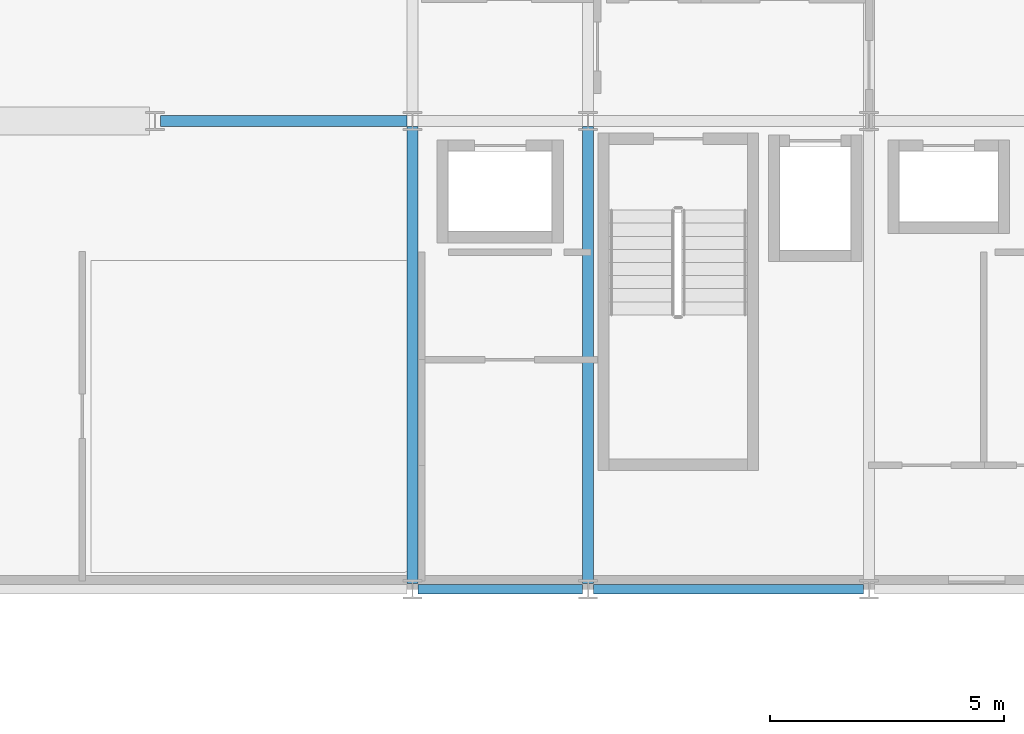
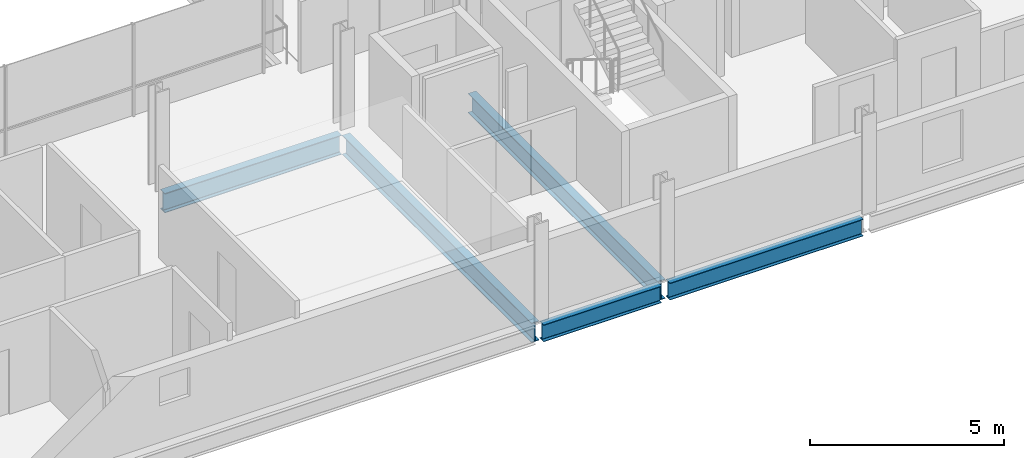
# One storey, part 14 of 41: 5 beams.
"""IFC4 building model written with IfcOpenShell, lengths in metres."""

from ifc_helpers import new_model, si_unit, direction, frame, origin, origin_2d, place, context, subcontext, project, spatial, i_section, extrude, material, material_profile, profile_set, type_object, element, save


model = new_model("IFC4")

# Units and contexts
model_context = context("Model", 3, precision=1e-05, world=origin(), true_north=direction((0.0, 1.0)))
body_context = subcontext(model_context, "Body", "Model", "MODEL_VIEW")
ifc_project = project(units=[si_unit("LENGTHUNIT", "METRE"), si_unit("AREAUNIT", "SQUARE_METRE"), si_unit("VOLUMEUNIT", "CUBIC_METRE"), si_unit("PLANEANGLEUNIT", "RADIAN"), si_unit("MASSUNIT", "GRAM", prefix="KILO")], contexts=[model_context])

# Site, building, storey
site_placement = place(None, origin())
site = spatial("IfcSite", under=ifc_project, at=site_placement, CompositionType="ELEMENT")
building_placement = place(site_placement, origin())
building = spatial("IfcBuilding", under=site, at=building_placement, Name="Brevholm Reach", CompositionType="ELEMENT")
storey_placement = place(building_placement, frame((0.0, 0.0, 169.699951171875)))
storey = spatial("IfcBuildingStorey", under=building, at=storey_placement, Name="L51", CompositionType="ELEMENT", Elevation=169.699951171875)

# Beams
ifc_material_1 = material(Name="Structural Steel S355J2", Category="steel")
ifc_material_profile_1 = material_profile(ifc_material_1, i_section(OverallWidth=0.209228515625, OverallDepth=0.533203125, WebThickness=0.010009765625, FlangeThickness=0.015625, FilletRadius=0.0126953125, at=origin_2d()), Name="UKB 533x210x92")
ifc_profile_set_1 = profile_set([ifc_material_profile_1], Name="Structural Steel S355J2")
beam_type_1 = type_object("IfcBeamType", Name="BM-SP533", PredefinedType="SPANDREL", material=ifc_profile_set_1)
beam_1_placement = place(storey_placement, frame((38.3701171875, 0.0, -0.486572265625), z_axis=(1.0, 0.0, 0.0), x_axis=(0.0, 1.0, 0.0)))
element("IfcBeam", 1, at=beam_1_placement, inside=storey, type_object=beam_type_1, Name="L51 SP-02 Framing Beam", PredefinedType="SPANDREL", context=body_context, shape_type="SweptSolid", body=[
    extrude(i_section(OverallWidth=0.209228515625, OverallDepth=0.533203125, WebThickness=0.010009765625, FlangeThickness=0.015625, FilletRadius=0.0126953125, at=origin_2d()), origin(), (0.0, 0.0, 1.0), 3.509765625),
])
beam_2_placement = place(storey_placement, frame((42.1201171875, 0.0, -0.486572265625), z_axis=(1.0, 0.0, 0.0), x_axis=(0.0, 1.0, 0.0)))
element("IfcBeam", 2, at=beam_2_placement, inside=storey, type_object=beam_type_1, Name="L51 SP-02 Framing Beam", PredefinedType="SPANDREL", context=body_context, shape_type="SweptSolid", body=[
    extrude(i_section(OverallWidth=0.209228515625, OverallDepth=0.533203125, WebThickness=0.010009765625, FlangeThickness=0.015625, FilletRadius=0.0126953125, at=origin_2d()), origin(), (0.0, 0.0, 1.0), 5.759765625),
])
ifc_material_2 = material(Name="Structural Steel S355J2", Category="steel")
ifc_material_profile_2 = material_profile(ifc_material_2, i_section(OverallWidth=0.22900390625, OverallDepth=0.6123046875, WebThickness=0.011962890625, FlangeThickness=0.01953125, FilletRadius=0.0126953125, at=origin_2d()), Name="UKB 610x229x125")
ifc_profile_set_2 = profile_set([ifc_material_profile_2], Name="Structural Steel S355J2")
beam_type_2 = type_object("IfcBeamType", Name="BM-SP610", PredefinedType="SPANDREL", material=ifc_profile_set_2)
beam_3_placement = place(storey_placement, frame((32.8701171875, 10.0, -0.526123046875), z_axis=(1.0, 0.0, 0.0), x_axis=(0.0, 1.0, 0.0)))
element("IfcBeam", 3, at=beam_3_placement, inside=storey, type_object=beam_type_2, Name="L51 SP-01 Framing Beam", PredefinedType="SPANDREL", context=body_context, shape_type="SweptSolid", body=[
    extrude(i_section(OverallWidth=0.22900390625, OverallDepth=0.6123046875, WebThickness=0.011962890625, FlangeThickness=0.01953125, FilletRadius=0.0126953125, at=origin_2d()), origin(), (0.0, 0.0, 1.0), 5.259765625),
])
for number, where, z_axis, x_axis, name in (
    (4, (38.25, 0.1201171875, -0.526123046875), (0.0, 1.0, 0.0), (-1.0, 0.0, 0.0), "L51 SP-01 Framing Beam"),
    (5, (42.0, 0.1201171875, -0.526123046875), (0.0, 1.0, 0.0), (-1.0, 0.0, 0.0), "L51 SP-01 Framing Beam"),
):
    element("IfcBeam", number, at=place(storey_placement, frame(where, z_axis=z_axis, x_axis=x_axis)), inside=storey, type_object=beam_type_2, Name=name, PredefinedType="SPANDREL", context=body_context, shape_type="SweptSolid", body=[
        extrude(i_section(OverallWidth=0.22900390625, OverallDepth=0.6123046875, WebThickness=0.011962890625, FlangeThickness=0.01953125, FilletRadius=0.0126953125, at=origin_2d()), origin(), (0.0, 0.0, 1.0), 9.759765625),
    ])

save(model, "model.ifc")
